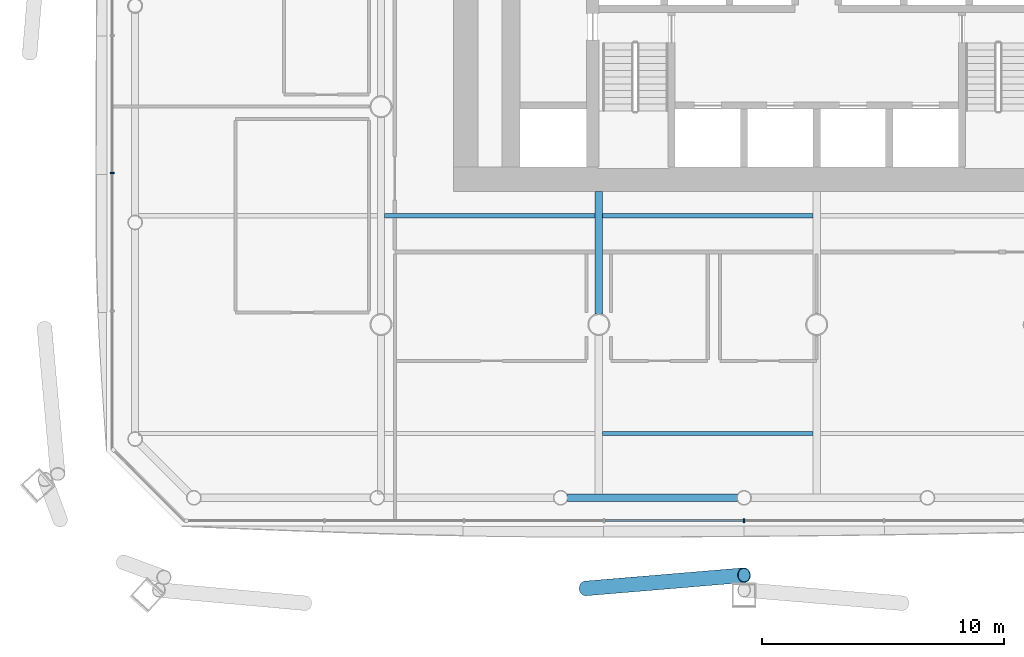
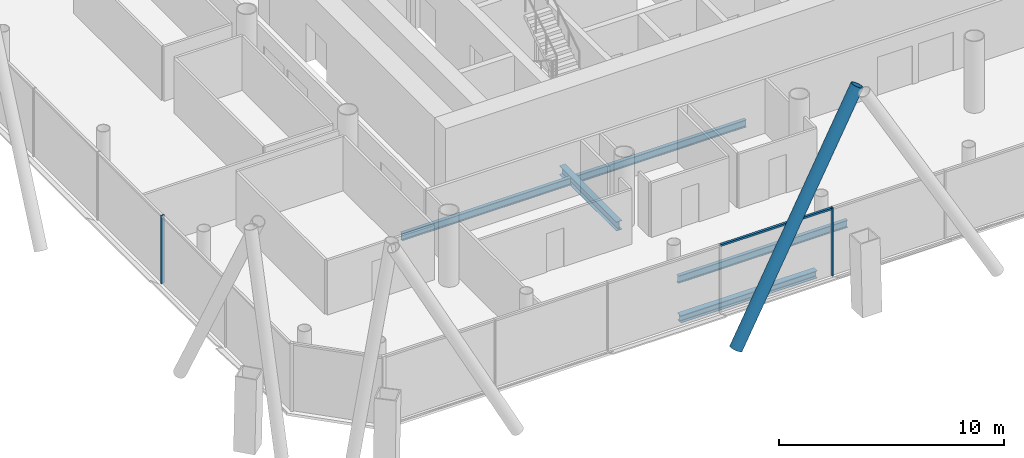
# One storey, part 3 of 21: 5 beams, 4 members, 2 elements without a shape of their own.
"""IFC4 building model written with IfcOpenShell, lengths in metres."""

from ifc_helpers import new_model, si_unit, direction, frame, origin, origin_2d, place, context, subcontext, project, spatial, rectangle, hollow_circle, i_section, extrude, material, material_profile, profile_set, type_object, element, aggregate, save


model = new_model("IFC4")

# Units and contexts
model_context = context("Model", 3, precision=1e-05, world=origin(), true_north=direction((0.0, 1.0)))
body_context = subcontext(model_context, "Body", "Model", "MODEL_VIEW")
ifc_project = project(units=[si_unit("LENGTHUNIT", "METRE"), si_unit("AREAUNIT", "SQUARE_METRE"), si_unit("VOLUMEUNIT", "CUBIC_METRE"), si_unit("PLANEANGLEUNIT", "RADIAN"), si_unit("MASSUNIT", "GRAM", prefix="KILO")], contexts=[model_context])

# Site, building, storey
site_placement = place(None, origin())
site = spatial("IfcSite", under=ifc_project, at=site_placement, CompositionType="ELEMENT")
building_placement = place(site_placement, origin())
building = spatial("IfcBuilding", under=site, at=building_placement, Name="Tskaro Facet Tower", CompositionType="ELEMENT")
storey_placement = place(building_placement, frame((0.0, 0.0, 45.89990234375)))
storey = spatial("IfcBuildingStorey", under=building, at=storey_placement, Name="L10", CompositionType="ELEMENT", Elevation=45.89990234375)

# Member
ifc_material_1 = material(Name="Steel S355J2H", Category="steel")
ifc_material_profile_1 = material_profile(ifc_material_1, hollow_circle(Radius=0.304931640625, WallThickness=0.030029296875, at=origin_2d()), Name="CHS 610x30")
ifc_profile_set_1 = profile_set([ifc_material_profile_1], Name="Steel S355J2H")
member_type_1 = type_object("IfcMemberType", Name="CHS 610x30 brace", PredefinedType="BRACE", material=ifc_profile_set_1)
member_1_placement = place(storey_placement, frame((-9.545166015625, -28.90185546875, 0.0), z_axis=(0.487801925291, 0.040830598693, 0.871998935718), x_axis=(-0.083411543722, 0.99651518522, 0.0)))
element("IfcMember", 1, at=member_1_placement, inside=storey, type_object=member_type_1, Name="CHS 610x30 XB01A/1", PredefinedType="BRACE", context=body_context, shape_type="SweptSolid", body=[
    extrude(hollow_circle(Radius=0.304931640625, WallThickness=0.030029296875, at=origin_2d()), origin(), (0.0, 0.0, 1.0), 13.417724609375),
])

# Curtain wall, member
ifc_material_2 = material(Name="Bronze anodised aluminium 6063-T6", Category="aluminium")
curtain_wall_type = type_object("IfcCurtainWallType", Name="Bronze office curtain wall (FW1)", PredefinedType="NOTDEFINED", material=ifc_material_2)
curtain_wall_1_placement = place(storey_placement, origin())
curtain_wall_1 = element("IfcCurtainWall", 2, at=curtain_wall_1_placement, inside=storey, type_object=curtain_wall_type, Name="FW1 south facet L10", PredefinedType="NOTDEFINED")
ifc_material_profile_2 = material_profile(ifc_material_2, rectangle(XDim=0.06005859375, YDim=0.159912109375, at=origin_2d()), Name="Mullion 60x160")
ifc_profile_set_2 = profile_set([ifc_material_profile_2], Name="Bronze anodised aluminium 6063-T6")
member_type_2 = type_object("IfcMemberType", Name="FW1 bronze mullion 60x160", PredefinedType="MULLION", material=ifc_profile_set_2)
member_2_placement = place(storey_placement, frame((-3.0, -26.10693359375, 0.0), z_axis=(0.0, 0.0, 1.0), x_axis=(1.0, 0.0, 0.0)))
member_2 = element("IfcMember", 3, at=member_2_placement, type_object=member_type_2, Name="FW1 south mullion 4", PredefinedType="MULLION", context=body_context, shape_type="SweptSolid", body=[
    extrude(rectangle(XDim=0.06005859375, YDim=0.159912109375, at=origin_2d()), origin(), (0.0, 0.0, 1.0), 3.7001953125),
])

curtain_wall_2_placement = place(storey_placement, origin())
curtain_wall_2 = element("IfcCurtainWall", 4, at=curtain_wall_2_placement, inside=storey, type_object=curtain_wall_type, Name="FW1 west facet L10", PredefinedType="NOTDEFINED")
member_3_placement = place(storey_placement, frame((-29.10693359375, -11.740234375, 0.0), z_axis=(0.0, 0.0, 1.0), x_axis=(0.0, -1.0, 0.0)))
member_3 = element("IfcMember", 5, at=member_3_placement, type_object=member_type_2, Name="FW1 west mullion 6", PredefinedType="MULLION", context=body_context, shape_type="SweptSolid", body=[
    extrude(rectangle(XDim=0.06005859375, YDim=0.159912109375, at=origin_2d()), origin(), (0.0, 0.0, 1.0), 3.7001953125),
])
aggregate(curtain_wall_2, [member_3])

# Member
ifc_material_profile_3 = material_profile(ifc_material_2, rectangle(XDim=0.1201171875, YDim=0.10009765625, at=origin_2d()), Name="Transom 120x100")
ifc_profile_set_3 = profile_set([ifc_material_profile_3], Name="Bronze anodised aluminium 6063-T6")
member_type_3 = type_object("IfcMemberType", Name="FW1 bronze transom 120x100", PredefinedType="USERDEFINED", material=ifc_profile_set_3)
member_4_placement = place(storey_placement, frame((-8.75048828125, -26.10693359375, 3.650146484375), z_axis=(1.0, 0.0, 0.0), x_axis=(0.0, 1.0, 0.0)))
member_4 = element("IfcMember", 6, at=member_4_placement, type_object=member_type_3, Name="FW1 south transom 4.1", ObjectType="TRANSOM", PredefinedType="USERDEFINED", context=body_context, shape_type="SweptSolid", body=[
    extrude(rectangle(XDim=0.1201171875, YDim=0.10009765625, at=origin_2d()), origin(), (0.0, 0.0, 1.0), 5.720458984375),
])

aggregate(curtain_wall_1, [member_2, member_4])

# Beams
ifc_material_3 = material(Name="Steel S355J2", Category="steel")
ifc_material_profile_4 = material_profile(ifc_material_3, i_section(OverallWidth=0.300048828125, OverallDepth=0.39990234375, WebThickness=0.013427734375, FlangeThickness=0.02392578125, FilletRadius=0.027099609375, at=origin_2d()), Name="HE 400 B")
ifc_profile_set_4 = profile_set([ifc_material_profile_4], Name="Steel S355J2")
beam_type_1 = type_object("IfcBeamType", Name="HE 400 B ring beam", PredefinedType="BEAM", material=ifc_profile_set_4)
beam_1_placement = place(storey_placement, frame((-10.301025390625, -25.156982421875, -0.33984375), z_axis=(1.0, 0.0, 0.0), x_axis=(0.0, 1.0, 0.0)))
element("IfcBeam", 7, at=beam_1_placement, inside=storey, type_object=beam_type_1, Name="HE 400 B EB3-1", PredefinedType="BEAM", context=body_context, shape_type="SweptSolid", body=[
    extrude(i_section(OverallWidth=0.300048828125, OverallDepth=0.39990234375, WebThickness=0.013427734375, FlangeThickness=0.02392578125, FilletRadius=0.027099609375, at=origin_2d()), origin(), (0.0, 0.0, 1.0), 7.026123046875),
])
ifc_material_profile_5 = material_profile(ifc_material_3, i_section(OverallWidth=0.300048828125, OverallDepth=0.489990234375, WebThickness=0.011962890625, FlangeThickness=0.02294921875, FilletRadius=0.027099609375, at=origin_2d()), Name="HE 500 A")
ifc_profile_set_5 = profile_set([ifc_material_profile_5], Name="Steel S355J2")
beam_type_2 = type_object("IfcBeamType", Name="HE 500 A girder", PredefinedType="BEAM", material=ifc_profile_set_5)
beam_2_placement = place(storey_placement, frame((-9.0, -17.57275390625, -0.385009765625), z_axis=(0.0, 1.0, 0.0), x_axis=(-1.0, 0.0, 0.0)))
element("IfcBeam", 8, at=beam_2_placement, inside=storey, type_object=beam_type_2, Name="HE 500 A GB3-2-1", PredefinedType="BEAM", context=body_context, shape_type="SweptSolid", body=[
    extrude(i_section(OverallWidth=0.300048828125, OverallDepth=0.489990234375, WebThickness=0.011962890625, FlangeThickness=0.02294921875, FilletRadius=0.027099609375, at=origin_2d()), origin(), (0.0, 0.0, 1.0), 5.07275390625),
])
ifc_material_profile_6 = material_profile(ifc_material_3, i_section(OverallWidth=0.179931640625, OverallDepth=0.39990234375, WebThickness=0.008544921875, FlangeThickness=0.013427734375, FilletRadius=0.02099609375, at=origin_2d()), Name="IPE 400")
ifc_profile_set_6 = profile_set([ifc_material_profile_6], Name="Steel S355J2")
beam_type_3 = type_object("IfcBeamType", Name="IPE 400 secondary beam", PredefinedType="BEAM", material=ifc_profile_set_6)
for number, where, z_axis, x_axis, name in (
    (9, (-8.85009765625, -22.5, -0.33984375), (1.0, 0.0, 0.0), (0.0, 1.0, 0.0), "IPE 400 SB1a-3-1"),
    (10, (-17.85009765625, -13.5, -0.33984375), (1.0, 0.0, 0.0), (0.0, 1.0, 0.0), "IPE 400 SB2a-2-1"),
    (11, (-8.85009765625, -13.5, -0.33984375), (1.0, 0.0, 0.0), (0.0, 1.0, 0.0), "IPE 400 SB2a-3-1"),
):
    element("IfcBeam", number, at=place(storey_placement, frame(where, z_axis=z_axis, x_axis=x_axis)), inside=storey, type_object=beam_type_3, Name=name, PredefinedType="BEAM", context=body_context, shape_type="SweptSolid", body=[
        extrude(i_section(OverallWidth=0.179931640625, OverallDepth=0.39990234375, WebThickness=0.008544921875, FlangeThickness=0.013427734375, FilletRadius=0.02099609375, at=origin_2d()), origin(), (0.0, 0.0, 1.0), 8.7001953125),
    ])

save(model, "model.ifc")
